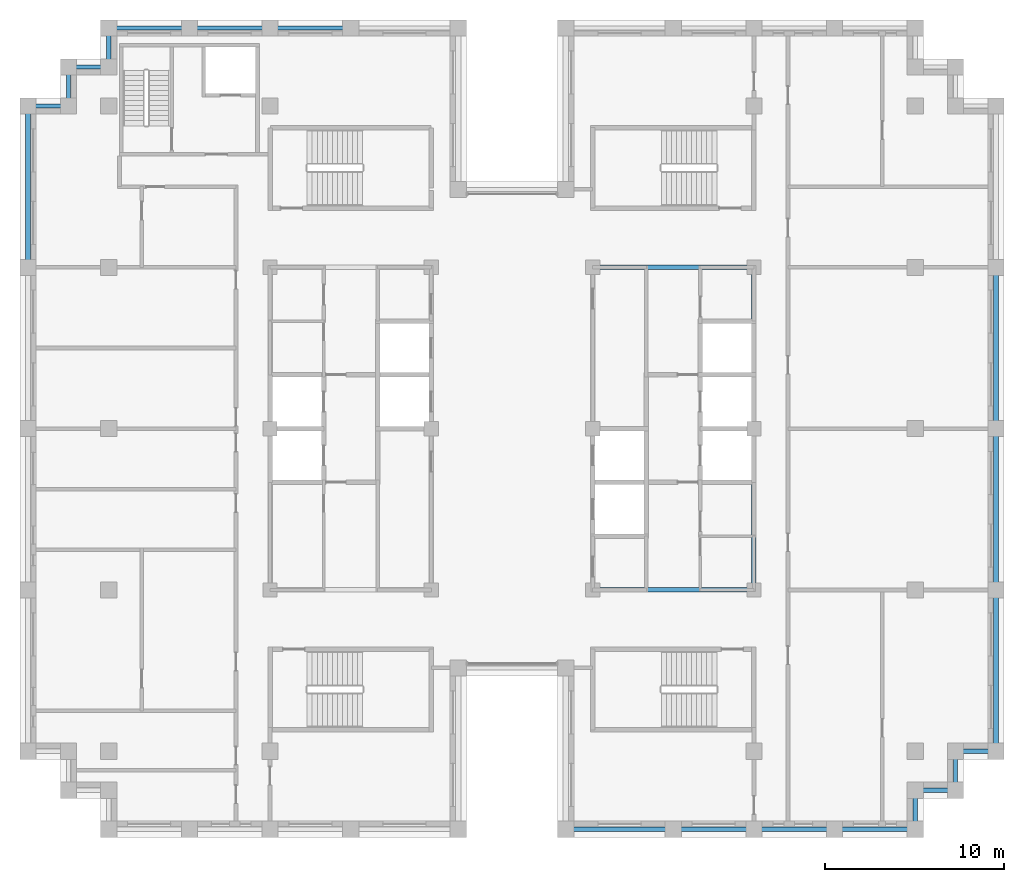
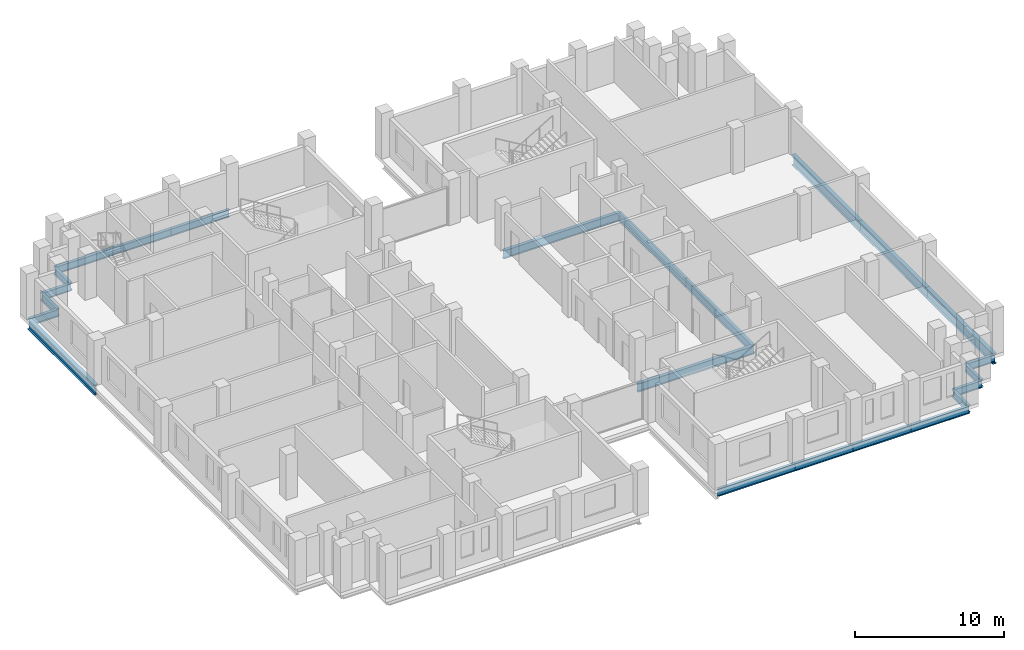
# One storey, part 3 of 13: 23 beams.
"""IFC4 building model written with IfcOpenShell, lengths in metres."""

from ifc_helpers import new_model, si_unit, direction, frame, origin, origin_2d, place, context, subcontext, project, spatial, i_section, extrude, material, material_profile, profile_set, type_object, element, save


model = new_model("IFC4")

# Units and contexts
model_context = context("Model", 3, precision=1e-05, world=origin(), true_north=direction((0.0, 1.0)))
body_context = subcontext(model_context, "Body", "Model", "MODEL_VIEW")
ifc_project = project(units=[si_unit("LENGTHUNIT", "METRE"), si_unit("AREAUNIT", "SQUARE_METRE"), si_unit("VOLUMEUNIT", "CUBIC_METRE"), si_unit("PLANEANGLEUNIT", "RADIAN"), si_unit("MASSUNIT", "GRAM", prefix="KILO")], contexts=[model_context])

# Site, building, storey
site_placement = place(None, origin())
site = spatial("IfcSite", under=ifc_project, at=site_placement, CompositionType="ELEMENT")
building_placement = place(site_placement, origin())
building = spatial("IfcBuilding", under=site, at=building_placement, Name="Corbelhall Arena Tower", CompositionType="ELEMENT")
storey_placement = place(building_placement, frame((0.0, 0.0, 278.0)))
storey = spatial("IfcBuildingStorey", under=building, at=storey_placement, Name="L60", CompositionType="ELEMENT", Elevation=278.0)

# Beams
ifc_material = material(Name="Steel ASTM A992 Gr50", Category="steel")
ifc_material_profile_1 = material_profile(ifc_material, i_section(OverallWidth=0.25390625, OverallDepth=0.67822265625, WebThickness=0.01171875, FlangeThickness=0.016357421875, at=origin_2d()))
ifc_profile_set_1 = profile_set([ifc_material_profile_1], Name="Steel ASTM A992 Gr50")
beam_type_1 = type_object("IfcBeamType", Name="ST-BEAM-W27x84", PredefinedType="BEAM", material=ifc_profile_set_1)
for number, where, z_axis, x_axis, name in (
    (1, (13.5, -9.0, -0.619140625), (0.0, 1.0, 0.0), (-1.0, 0.0, 0.0), "Beam CEE 9"),
    (2, (13.5, 0.0, -0.619140625), (0.0, 1.0, 0.0), (-1.0, 0.0, 0.0), "Beam CEE 10"),
    (3, (4.5, -9.0, -0.619140625), (1.0, 0.0, 0.0), (0.0, 1.0, 0.0), "Beam CEE 11"),
    (4, (4.5, 9.0, -0.619140625), (1.0, 0.0, 0.0), (0.0, 1.0, 0.0), "Beam CEE 12"),
):
    element("IfcBeam", number, at=place(storey_placement, frame(where, z_axis=z_axis, x_axis=x_axis)), inside=storey, type_object=beam_type_1, Name=name, PredefinedType="BEAM", context=body_context, shape_type="SweptSolid", body=[
        extrude(i_section(OverallWidth=0.25390625, OverallDepth=0.67822265625, WebThickness=0.01171875, FlangeThickness=0.016357421875, at=origin_2d()), origin(), (0.0, 0.0, 1.0), 9.0),
    ])
ifc_material_profile_2 = material_profile(ifc_material, i_section(OverallWidth=0.227783203125, OverallDepth=0.60205078125, WebThickness=0.010498046875, FlangeThickness=0.014892578125, at=origin_2d()))
ifc_profile_set_2 = profile_set([ifc_material_profile_2], Name="Steel ASTM A992 Gr50")
beam_type_2 = type_object("IfcBeamType", Name="ST-SPANDREL-W24x68", PredefinedType="SPANDREL", material=ifc_profile_set_2)
beam_1_placement = place(storey_placement, frame((27.0, -18.0, -0.5810546875), z_axis=(-1.0, 0.0, 0.0), x_axis=(0.0, -1.0, 0.0)))
element("IfcBeam", 5, at=beam_1_placement, inside=storey, type_object=beam_type_2, Name="Beam SP 5", PredefinedType="SPANDREL", context=body_context, shape_type="SweptSolid", body=[
    extrude(i_section(OverallWidth=0.227783203125, OverallDepth=0.60205078125, WebThickness=0.010498046875, FlangeThickness=0.014892578125, at=origin_2d()), origin(), (0.0, 0.0, 1.0), 2.25),
])
for number, where, z_axis, x_axis, name in (
    (6, (-13.5, 22.35009765625, -0.5810546875), (1.0, 0.0, 0.0), (0.0, 1.0, 0.0), "Beam SP 13"),
    (7, (-18.0, 22.35009765625, -0.5810546875), (1.0, 0.0, 0.0), (0.0, 1.0, 0.0), "Beam SP 14"),
    (8, (-22.5, 22.35009765625, -0.5810546875), (1.0, 0.0, 0.0), (0.0, 1.0, 0.0), "Beam SP 15"),
):
    element("IfcBeam", number, at=place(storey_placement, frame(where, z_axis=z_axis, x_axis=x_axis)), inside=storey, type_object=beam_type_2, Name=name, PredefinedType="SPANDREL", context=body_context, shape_type="SweptSolid", body=[
        extrude(i_section(OverallWidth=0.227783203125, OverallDepth=0.60205078125, WebThickness=0.010498046875, FlangeThickness=0.014892578125, at=origin_2d()), origin(), (0.0, 0.0, 1.0), 4.5),
    ])
beam_2_placement = place(storey_placement, frame((9.0, -22.35009765625, -0.5810546875), z_axis=(-1.0, 0.0, 0.0), x_axis=(0.0, -1.0, 0.0)))
element("IfcBeam", 9, at=beam_2_placement, inside=storey, type_object=beam_type_2, Name="Beam SP 17", PredefinedType="SPANDREL", context=body_context, shape_type="SweptSolid", body=[
    extrude(i_section(OverallWidth=0.227783203125, OverallDepth=0.60205078125, WebThickness=0.010498046875, FlangeThickness=0.014892578125, at=origin_2d()), origin(), (0.0, 0.0, 1.0), 6.0),
])
for number, where, z_axis, x_axis, name in (
    (10, (13.5, -22.35009765625, -0.5810546875), (-1.0, 0.0, 0.0), (0.0, -1.0, 0.0), "Beam SP 18"),
    (11, (18.0, -22.35009765625, -0.5810546875), (-1.0, 0.0, 0.0), (0.0, -1.0, 0.0), "Beam SP 19"),
    (12, (22.5, -22.35009765625, -0.5810546875), (-1.0, 0.0, 0.0), (0.0, -1.0, 0.0), "Beam SP 20"),
):
    element("IfcBeam", number, at=place(storey_placement, frame(where, z_axis=z_axis, x_axis=x_axis)), inside=storey, type_object=beam_type_2, Name=name, PredefinedType="SPANDREL", context=body_context, shape_type="SweptSolid", body=[
        extrude(i_section(OverallWidth=0.227783203125, OverallDepth=0.60205078125, WebThickness=0.010498046875, FlangeThickness=0.014892578125, at=origin_2d()), origin(), (0.0, 0.0, 1.0), 4.5),
    ])
beam_3_placement = place(storey_placement, frame((-27.0, 18.0, -0.5810546875), z_axis=(1.0, 0.0, 0.0), x_axis=(0.0, 1.0, 0.0)))
element("IfcBeam", 13, at=beam_3_placement, inside=storey, type_object=beam_type_2, Name="Beam SP 28", PredefinedType="SPANDREL", context=body_context, shape_type="SweptSolid", body=[
    extrude(i_section(OverallWidth=0.227783203125, OverallDepth=0.60205078125, WebThickness=0.010498046875, FlangeThickness=0.014892578125, at=origin_2d()), origin(), (0.0, 0.0, 1.0), 2.25),
])
beam_4_placement = place(storey_placement, frame((-22.5, 20.175048828125, -0.5810546875), z_axis=(0.0, 1.0, 0.0), x_axis=(-1.0, 0.0, 0.0)))
element("IfcBeam", 14, at=beam_4_placement, inside=storey, type_object=beam_type_2, Name="Beam SP 38", PredefinedType="SPANDREL", context=body_context, shape_type="SweptSolid", body=[
    extrude(i_section(OverallWidth=0.227783203125, OverallDepth=0.60205078125, WebThickness=0.010498046875, FlangeThickness=0.014892578125, at=origin_2d()), origin(), (0.0, 0.0, 1.0), 2.175048828125),
])
beam_5_placement = place(storey_placement, frame((-24.75, 20.175048828125, -0.5810546875), z_axis=(1.0, 0.0, 0.0), x_axis=(0.0, 1.0, 0.0)))
element("IfcBeam", 15, at=beam_5_placement, inside=storey, type_object=beam_type_2, Name="Beam SP 39", PredefinedType="SPANDREL", context=body_context, shape_type="SweptSolid", body=[
    extrude(i_section(OverallWidth=0.227783203125, OverallDepth=0.60205078125, WebThickness=0.010498046875, FlangeThickness=0.014892578125, at=origin_2d()), origin(), (0.0, 0.0, 1.0), 2.25),
])
for number, where, z_axis, x_axis, name in (
    (16, (-24.75, 18.0, -0.5810546875), (0.0, 1.0, 0.0), (-1.0, 0.0, 0.0), "Beam SP 40"),
    (17, (22.5, -20.175048828125, -0.5810546875), (0.0, -1.0, 0.0), (1.0, 0.0, 0.0), "Beam SP 41"),
):
    element("IfcBeam", number, at=place(storey_placement, frame(where, z_axis=z_axis, x_axis=x_axis)), inside=storey, type_object=beam_type_2, Name=name, PredefinedType="SPANDREL", context=body_context, shape_type="SweptSolid", body=[
        extrude(i_section(OverallWidth=0.227783203125, OverallDepth=0.60205078125, WebThickness=0.010498046875, FlangeThickness=0.014892578125, at=origin_2d()), origin(), (0.0, 0.0, 1.0), 2.175048828125),
    ])
beam_6_placement = place(storey_placement, frame((24.75, -20.175048828125, -0.5810546875), z_axis=(-1.0, 0.0, 0.0), x_axis=(0.0, -1.0, 0.0)))
element("IfcBeam", 18, at=beam_6_placement, inside=storey, type_object=beam_type_2, Name="Beam SP 42", PredefinedType="SPANDREL", context=body_context, shape_type="SweptSolid", body=[
    extrude(i_section(OverallWidth=0.227783203125, OverallDepth=0.60205078125, WebThickness=0.010498046875, FlangeThickness=0.014892578125, at=origin_2d()), origin(), (0.0, 0.0, 1.0), 2.25),
])
beam_7_placement = place(storey_placement, frame((24.75, -18.0, -0.5810546875), z_axis=(0.0, -1.0, 0.0), x_axis=(1.0, 0.0, 0.0)))
element("IfcBeam", 19, at=beam_7_placement, inside=storey, type_object=beam_type_2, Name="Beam SP 43", PredefinedType="SPANDREL", context=body_context, shape_type="SweptSolid", body=[
    extrude(i_section(OverallWidth=0.227783203125, OverallDepth=0.60205078125, WebThickness=0.010498046875, FlangeThickness=0.014892578125, at=origin_2d()), origin(), (0.0, 0.0, 1.0), 2.175048828125),
])
ifc_material_profile_3 = material_profile(ifc_material, i_section(OverallWidth=0.2919921875, OverallDepth=0.845703125, WebThickness=0.015380859375, FlangeThickness=0.0244140625, at=origin_2d()))
ifc_profile_set_3 = profile_set([ifc_material_profile_3], Name="Steel ASTM A992 Gr50")
beam_type_3 = type_object("IfcBeamType", Name="ST-SPANDREL-W33x141", PredefinedType="SPANDREL", material=ifc_profile_set_3)
for number, where, z_axis, x_axis, name in (
    (20, (27.0, 0.0, -0.702880859375), (0.0, -1.0, 0.0), (1.0, 0.0, 0.0), "Beam SP 1"),
    (21, (27.0, 9.0, -0.702880859375), (0.0, -1.0, 0.0), (1.0, 0.0, 0.0), "Beam SP 2"),
    (22, (27.0, -9.0, -0.702880859375), (0.0, -1.0, 0.0), (1.0, 0.0, 0.0), "Beam SP 4"),
    (23, (-27.0, 9.0, -0.702880859375), (0.0, 1.0, 0.0), (-1.0, 0.0, 0.0), "Beam SP 27"),
):
    element("IfcBeam", number, at=place(storey_placement, frame(where, z_axis=z_axis, x_axis=x_axis)), inside=storey, type_object=beam_type_3, Name=name, PredefinedType="SPANDREL", context=body_context, shape_type="SweptSolid", body=[
        extrude(i_section(OverallWidth=0.2919921875, OverallDepth=0.845703125, WebThickness=0.015380859375, FlangeThickness=0.0244140625, at=origin_2d()), origin(), (0.0, 0.0, 1.0), 9.0),
    ])

save(model, "model.ifc")
